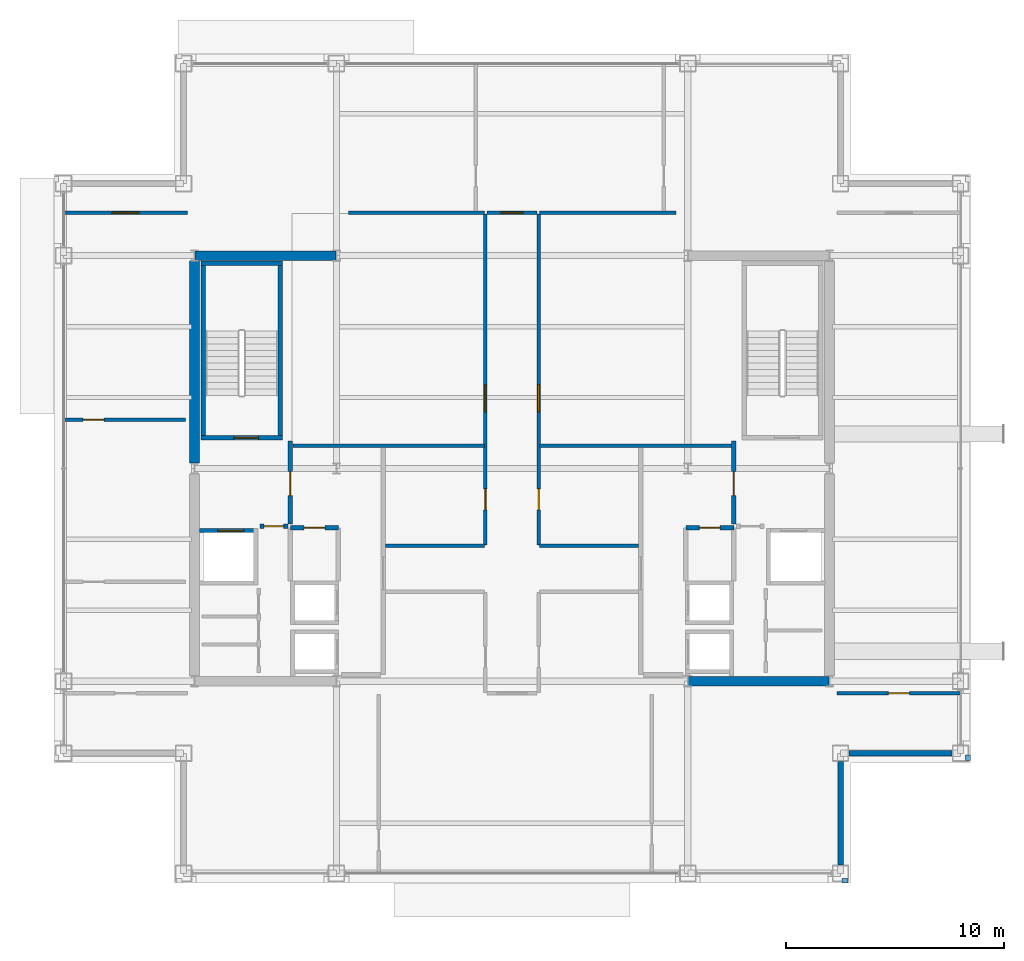
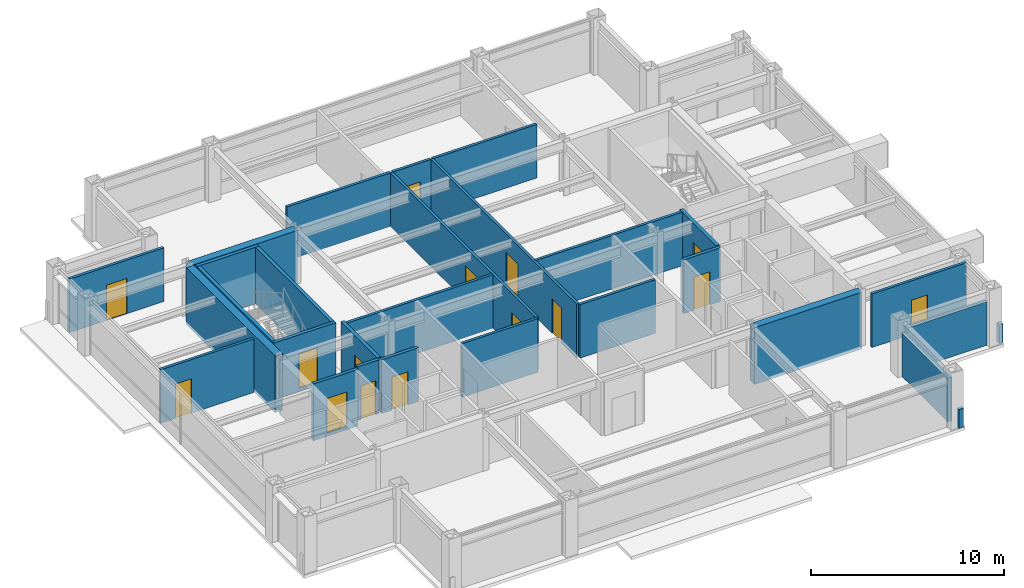
# One storey, part 24 of 26: 29 walls, 15 doors, 15 openings.
"""IFC4 building model written with IfcOpenShell, lengths in metres."""

from ifc_helpers import new_model, si_unit, direction, frame, frame_2d, origin, place, context, subcontext, project, spatial, rectangle, extrude, material, layer, layer_set, type_object, element, fill, save


model = new_model("IFC4")

# Units and contexts
model_context = context("Model", 3, precision=1e-05, world=origin(), true_north=direction((0.0, 1.0)))
body_context = subcontext(model_context, "Body", "Model", "MODEL_VIEW")
ifc_project = project(units=[si_unit("LENGTHUNIT", "METRE"), si_unit("AREAUNIT", "SQUARE_METRE"), si_unit("VOLUMEUNIT", "CUBIC_METRE"), si_unit("PLANEANGLEUNIT", "RADIAN"), si_unit("MASSUNIT", "GRAM", prefix="KILO")], contexts=[model_context])

# Site, building, storey
site_placement = place(None, origin())
site = spatial("IfcSite", under=ifc_project, at=site_placement, CompositionType="ELEMENT")
building_placement = place(site_placement, origin())
building = spatial("IfcBuilding", under=site, at=building_placement, Name="Brelmoor Portico Tower", CompositionType="ELEMENT")
storey_placement = place(building_placement, frame((0.0, 0.0, 180.300048828125)))
storey = spatial("IfcBuildingStorey", under=building, at=storey_placement, Name="L47", CompositionType="ELEMENT", Elevation=180.300048828125)

# Walls
ifc_material_1 = material(Name="Concrete C50", Category="concrete")
ifc_layer_1 = layer(ifc_material_1, 0.449951171875)
ifc_layer_set_1 = layer_set([ifc_layer_1], Name="Concrete C50")
wall_type_1 = type_object("IfcWallType", Name="WL-CORE-450", PredefinedType="SHEAR", material=ifc_layer_set_1)
wall_1_placement = place(storey_placement, frame((-14.530029296875, 9.75, -0.199951171875), z_axis=(0.0, 0.0, 1.0), x_axis=(1.0, 0.0, 0.0)))
element("IfcWall", 1, at=wall_1_placement, inside=storey, type_object=wall_type_1, Name="L47 WC North Shear Wall", PredefinedType="SHEAR", context=body_context, shape_type="SweptSolid", body=[
    extrude(rectangle(XDim=6.4599609375, YDim=0.449951171875, at=frame_2d((3.22998046875, 0.0))), origin(), (0.0, 0.0, 1.0), 3.599853515625),
])
wall_2_placement = place(storey_placement, frame((-14.550048828125, 0.25, -0.199951171875), z_axis=(0.0, 0.0, 1.0), x_axis=(0.0, 1.0, 0.0)))
element("IfcWall", 2, at=wall_2_placement, inside=storey, type_object=wall_type_1, Name="L47 WC Outer North Shear Wall", PredefinedType="SHEAR", context=body_context, shape_type="SweptSolid", body=[
    extrude(rectangle(XDim=9.25, YDim=0.449951171875, at=frame_2d((4.625, 0.0))), origin(), (0.0, 0.0, 1.0), 3.599853515625),
])
wall_3_placement = place(storey_placement, frame((8.070068359375, -9.75, -0.199951171875), z_axis=(0.0, 0.0, 1.0), x_axis=(1.0, 0.0, 0.0)))
element("IfcWall", 3, at=wall_3_placement, inside=storey, type_object=wall_type_1, Name="L47 EC South Shear Wall", PredefinedType="SHEAR", context=body_context, shape_type="SweptSolid", body=[
    extrude(rectangle(XDim=6.4599609375, YDim=0.449951171875, at=frame_2d((3.22998046875, 0.0))), origin(), (0.0, 0.0, 1.0), 3.599853515625),
])
ifc_material_2 = material(Name="Precast Concrete C40 Insulated Facade Wall", Category="concrete")
ifc_layer_2 = layer(ifc_material_2, 0.25)
ifc_layer_set_2 = layer_set([ifc_layer_2], Name="Precast Concrete C40 Insulated Facade Wall")
wall_type_2 = type_object("IfcWallType", Name="WL-EXT-250", PredefinedType="STANDARD", material=ifc_layer_set_2)
for number, where, z_axis, x_axis, name in (
    (4, (15.43505859375, -13.050048828125, 0.0), (0.0, 0.0, 1.0), (1.0, 0.0, 0.0), "L47 Corner Notch Facade Wall NSEH1"),
    (5, (15.050048828125, -18.1650390625, 0.0), (0.0, 0.0, 1.0), (0.0, 1.0, 0.0), "L47 Corner Notch Facade Wall NSEV1"),
):
    element("IfcWall", number, at=place(storey_placement, frame(where, z_axis=z_axis, x_axis=x_axis)), inside=storey, type_object=wall_type_2, Name=name, PredefinedType="STANDARD", context=body_context, shape_type="SweptSolid", body=[
        extrude(rectangle(XDim=4.72998046875, YDim=0.25, at=frame_2d((2.364990234375, 0.0))), origin(), (0.0, 0.0, 1.0), 2.75),
    ])
ifc_material_3 = material(Name="Concrete C40 Parapet Upstand", Category="concrete")
ifc_layer_3 = layer(ifc_material_3, 0.219970703125)
ifc_layer_set_3 = layer_set([ifc_layer_3], Name="Concrete C40 Parapet Upstand")
wall_type_3 = type_object("IfcWallType", Name="WL-PARAPET-220", PredefinedType="PARAPET", material=ifc_layer_set_3)
for number, where, z_axis, x_axis, name in (
    (6, (15.1201171875, -18.889892578125, 0.0), (0.0, 0.0, 1.0), (1.0, 0.0, 0.0), "L47 Chamfer Vertex Parapet Pier SE1"),
    (7, (20.889892578125, -13.389892578125, 0.0), (0.0, 0.0, 1.0), (0.0, 1.0, 0.0), "L47 Chamfer Vertex Parapet Pier SE2"),
):
    element("IfcWall", number, at=place(storey_placement, frame(where, z_axis=z_axis, x_axis=x_axis)), inside=storey, type_object=wall_type_3, Name=name, PredefinedType="PARAPET", context=body_context, shape_type="SweptSolid", body=[
        extrude(rectangle(XDim=0.269775390625, YDim=0.219970703125, at=frame_2d((0.134765625, 0.0))), origin(), (0.0, 0.0, 1.0), 1.199951171875),
    ])
ifc_material_4 = material(Name="Twin-Frame Acoustic Partition", Category="gypsum")
ifc_layer_4 = layer(ifc_material_4, 0.159912109375)
ifc_layer_set_4 = layer_set([ifc_layer_4], Name="Twin-Frame Acoustic Partition")
wall_type_4 = type_object("IfcWallType", Name="WL-PART-160", PredefinedType="PARTITIONING", material=ifc_layer_set_4)
wall_4_placement = place(storey_placement, frame((-10.050048828125, 1.050048828125, 0.0), z_axis=(0.0, 0.0, 1.0), x_axis=(1.0, 0.0, 0.0)))
element("IfcWall", 8, at=wall_4_placement, inside=storey, type_object=wall_type_4, Name="L47 West Reclaimed Suite South Wall", PredefinedType="PARTITIONING", context=body_context, shape_type="SweptSolid", body=[
    extrude(rectangle(XDim=8.7900390625, YDim=0.159912109375, at=frame_2d((4.39501953125, 0.0))), origin(), (0.0, 0.0, 1.0), 3.39990234375),
])

# Wall, openings, doors
wall_5_placement = place(storey_placement, frame((-1.219970703125, -3.5, 0.0), z_axis=(0.0, 0.0, 1.0), x_axis=(0.0, 1.0, 0.0)))
wall_5 = element("IfcWall", 9, at=wall_5_placement, inside=storey, type_object=wall_type_4, Name="L47 Central Cross West Wall", PredefinedType="PARTITIONING", context=body_context, shape_type="SweptSolid", body=[
    extrude(rectangle(XDim=15.169921875, YDim=0.159912109375, at=frame_2d((7.5849609375, 0.0))), origin(), (0.0, 0.0, 1.0), 3.39990234375),
])
opening_1_placement = place(wall_5_placement, frame((6.10009765625, 0.0, 0.0)))
opening_1 = element("IfcOpeningElement", 10, at=opening_1_placement, cuts=wall_5, Name="Opening D-SU1", PredefinedType="OPENING", context=body_context, shape_type="SweptSolid", body=[
    extrude(rectangle(XDim=1.239990234375, YDim=2.239990234375, at=frame_2d((0.6201171875, 1.1201171875))), frame((0.0, 0.08984375, 0.0), z_axis=(0.0, -1.0, 0.0), x_axis=(1.0, 0.0, 0.0)), (0.0, 0.0, 1.0), 0.179931640625),
])
opening_2_placement = place(wall_5_placement, frame((1.60009765625, 0.0, 0.0)))
opening_2 = element("IfcOpeningElement", 11, at=opening_2_placement, cuts=wall_5, Name="Opening D-IN2", PredefinedType="OPENING", context=body_context, shape_type="SweptSolid", body=[
    extrude(rectangle(XDim=0.9599609375, YDim=2.179931640625, at=frame_2d((0.47998046875, 1.08984375))), frame((0.0, 0.08984375, 0.0), z_axis=(0.0, -1.0, 0.0), x_axis=(1.0, 0.0, 0.0)), (0.0, 0.0, 1.0), 0.179931640625),
])
ifc_material_5 = material(Name="Lacquered Timber Suite Door", Category="wood")
door_type_1 = type_object("IfcDoorType", Name="DR-INT-950", OperationType="NOTDEFINED", PredefinedType="DOOR", material=ifc_material_5)
door_1_placement = place(opening_2_placement, origin())
door_1 = element("IfcDoor", 12, at=door_1_placement, inside=storey, type_object=door_type_1, Name="D-1989 L47 Staff Pantry Door", OperationType="SINGLE_SWING_RIGHT", OverallHeight=2.179931640625, OverallWidth=0.9599609375, PredefinedType="DOOR", context=body_context, shape_type="SweptSolid", body=[
    extrude(rectangle(XDim=0.9599609375, YDim=2.179931640625, at=frame_2d((0.47998046875, 1.08984375))), frame((0.0, 0.02490234375, 0.0), z_axis=(0.0, -1.0, 0.0), x_axis=(1.0, 0.0, 0.0)), (0.0, 0.0, 1.0), 0.050048828125),
])
fill(opening_2, door_1)
ifc_material_6 = material(Name="Glazed Timber Executive Suite Door", Category="wood")
door_type_2 = type_object("IfcDoorType", Name="DR-SUITE-1200", OperationType="NOTDEFINED", PredefinedType="DOOR", material=ifc_material_6)
door_2_placement = place(opening_1_placement, origin())
door_2 = element("IfcDoor", 13, at=door_2_placement, inside=storey, type_object=door_type_2, Name="D-1990 L47 West Reclaimed Studio Door", OperationType="SINGLE_SWING_LEFT", OverallHeight=2.239990234375, OverallWidth=1.239990234375, PredefinedType="DOOR", context=body_context, shape_type="SweptSolid", body=[
    extrude(rectangle(XDim=1.239990234375, YDim=2.239990234375, at=frame_2d((0.6201171875, 1.1201171875))), frame((0.0, 0.02490234375, 0.0), z_axis=(0.0, -1.0, 0.0), x_axis=(1.0, 0.0, 0.0)), (0.0, 0.0, 1.0), 0.050048828125),
])
fill(opening_1, door_2)

# Walls
wall_6_placement = place(storey_placement, frame((-7.5, 11.7099609375, 0.0), z_axis=(0.0, 0.0, 1.0), x_axis=(1.0, 0.0, 0.0)))
element("IfcWall", 14, at=wall_6_placement, inside=storey, type_object=wall_type_4, Name="L47 West Reclaimed Suite North Wall", PredefinedType="PARTITIONING", context=body_context, shape_type="SweptSolid", body=[
    extrude(rectangle(XDim=6.239990234375, YDim=0.159912109375, at=frame_2d((3.1201171875, 0.0))), origin(), (0.0, 0.0, 1.0), 3.39990234375),
])
wall_7_placement = place(storey_placement, frame((-5.800048828125, -3.550048828125, 0.0), z_axis=(0.0, 0.0, 1.0), x_axis=(1.0, 0.0, 0.0)))
element("IfcWall", 15, at=wall_7_placement, inside=storey, type_object=wall_type_4, Name="L47 West Pantry South Wall", PredefinedType="PARTITIONING", context=body_context, shape_type="SweptSolid", body=[
    extrude(rectangle(XDim=4.5400390625, YDim=0.159912109375, at=frame_2d((2.27001953125, 0.0))), origin(), (0.0, 0.0, 1.0), 3.39990234375),
])
wall_8_placement = place(storey_placement, frame((1.260009765625, 1.050048828125, 0.0), z_axis=(0.0, 0.0, 1.0), x_axis=(1.0, 0.0, 0.0)))
element("IfcWall", 16, at=wall_8_placement, inside=storey, type_object=wall_type_4, Name="L47 East Suite South Wall", PredefinedType="PARTITIONING", context=body_context, shape_type="SweptSolid", body=[
    extrude(rectangle(XDim=8.800048828125, YDim=0.159912109375, at=frame_2d((4.39990234375, 0.0))), origin(), (0.0, 0.0, 1.0), 3.39990234375),
])

# Wall, openings, doors
wall_9_placement = place(storey_placement, frame((1.219970703125, -3.5, 0.0), z_axis=(0.0, 0.0, 1.0), x_axis=(0.0, 1.0, 0.0)))
wall_9 = element("IfcWall", 17, at=wall_9_placement, inside=storey, type_object=wall_type_4, Name="L47 Central Cross East Wall", PredefinedType="PARTITIONING", context=body_context, shape_type="SweptSolid", body=[
    extrude(rectangle(XDim=15.169921875, YDim=0.159912109375, at=frame_2d((7.5849609375, 0.0))), origin(), (0.0, 0.0, 1.0), 3.39990234375),
])
opening_3_placement = place(wall_9_placement, frame((6.10009765625, 0.0, 0.0)))
opening_3 = element("IfcOpeningElement", 18, at=opening_3_placement, cuts=wall_9, Name="Opening D-SU1", PredefinedType="OPENING", context=body_context, shape_type="SweptSolid", body=[
    extrude(rectangle(XDim=1.239990234375, YDim=2.239990234375, at=frame_2d((0.6201171875, 1.1201171875))), frame((0.0, 0.08984375, 0.0), z_axis=(0.0, -1.0, 0.0), x_axis=(1.0, 0.0, 0.0)), (0.0, 0.0, 1.0), 0.179931640625),
])
opening_4_placement = place(wall_9_placement, frame((1.60009765625, 0.0, 0.0)))
opening_4 = element("IfcOpeningElement", 19, at=opening_4_placement, cuts=wall_9, Name="Opening D-IN2", PredefinedType="OPENING", context=body_context, shape_type="SweptSolid", body=[
    extrude(rectangle(XDim=0.9599609375, YDim=2.179931640625, at=frame_2d((0.47998046875, 1.08984375))), frame((0.0, 0.08984375, 0.0), z_axis=(0.0, -1.0, 0.0), x_axis=(1.0, 0.0, 0.0)), (0.0, 0.0, 1.0), 0.179931640625),
])
door_3_placement = place(opening_4_placement, origin())
door_3 = element("IfcDoor", 20, at=door_3_placement, inside=storey, type_object=door_type_1, Name="D-1985 L47 Client Project Office Door", OperationType="SINGLE_SWING_RIGHT", OverallHeight=2.179931640625, OverallWidth=0.9599609375, PredefinedType="DOOR", context=body_context, shape_type="SweptSolid", body=[
    extrude(rectangle(XDim=0.9599609375, YDim=2.179931640625, at=frame_2d((0.47998046875, 1.08984375))), frame((0.0, 0.02490234375, 0.0), z_axis=(0.0, -1.0, 0.0), x_axis=(1.0, 0.0, 0.0)), (0.0, 0.0, 1.0), 0.050048828125),
])
fill(opening_4, door_3)
door_4_placement = place(opening_3_placement, origin())
door_4 = element("IfcDoor", 21, at=door_4_placement, inside=storey, type_object=door_type_2, Name="D-1986 L47 East Reclaimed Studio Door", OperationType="SINGLE_SWING_LEFT", OverallHeight=2.239990234375, OverallWidth=1.239990234375, PredefinedType="DOOR", context=body_context, shape_type="SweptSolid", body=[
    extrude(rectangle(XDim=1.239990234375, YDim=2.239990234375, at=frame_2d((0.6201171875, 1.1201171875))), frame((0.0, 0.02490234375, 0.0), z_axis=(0.0, -1.0, 0.0), x_axis=(1.0, 0.0, 0.0)), (0.0, 0.0, 1.0), 0.050048828125),
])
fill(opening_3, door_4)

# Walls
wall_10_placement = place(storey_placement, frame((1.260009765625, 11.7099609375, 0.0), z_axis=(0.0, 0.0, 1.0), x_axis=(1.0, 0.0, 0.0)))
element("IfcWall", 22, at=wall_10_placement, inside=storey, type_object=wall_type_4, Name="L47 East Suite North Wall", PredefinedType="PARTITIONING", context=body_context, shape_type="SweptSolid", body=[
    extrude(rectangle(XDim=6.239990234375, YDim=0.159912109375, at=frame_2d((3.1201171875, 0.0))), origin(), (0.0, 0.0, 1.0), 3.39990234375),
])
wall_11_placement = place(storey_placement, frame((1.260009765625, -3.550048828125, 0.0), z_axis=(0.0, 0.0, 1.0), x_axis=(1.0, 0.0, 0.0)))
element("IfcWall", 23, at=wall_11_placement, inside=storey, type_object=wall_type_4, Name="L47 East Office South Wall", PredefinedType="PARTITIONING", context=body_context, shape_type="SweptSolid", body=[
    extrude(rectangle(XDim=4.5400390625, YDim=0.159912109375, at=frame_2d((2.27001953125, 0.0))), origin(), (0.0, 0.0, 1.0), 3.39990234375),
])

# Wall, opening, door
wall_12_placement = place(storey_placement, frame((-1.14990234375, 11.7099609375, 0.0), z_axis=(0.0, 0.0, 1.0), x_axis=(1.0, 0.0, 0.0)))
wall_12 = element("IfcWall", 24, at=wall_12_placement, inside=storey, type_object=wall_type_4, Name="L47 North Corridor Partition", PredefinedType="PARTITIONING", context=body_context, shape_type="SweptSolid", body=[
    extrude(rectangle(XDim=2.2998046875, YDim=0.159912109375, at=frame_2d((1.14990234375, 0.0))), origin(), (0.0, 0.0, 1.0), 3.39990234375),
])
opening_5_placement = place(wall_12_placement, frame((0.639892578125, 0.0, 0.0)))
opening_5 = element("IfcOpeningElement", 25, at=opening_5_placement, cuts=wall_12, Name="Opening D-OF1", PredefinedType="OPENING", context=body_context, shape_type="SweptSolid", body=[
    extrude(rectangle(XDim=1.02001953125, YDim=2.199951171875, at=frame_2d((0.510009765625, 1.10009765625))), frame((0.0, 0.08984375, 0.0), z_axis=(0.0, -1.0, 0.0), x_axis=(1.0, 0.0, 0.0)), (0.0, 0.0, 1.0), 0.179931640625),
])
ifc_material_7 = material(Name="Hardwood Acoustic Veneer Door", Category="wood")
door_type_3 = type_object("IfcDoorType", Name="DR-OFFICE-1000", OperationType="NOTDEFINED", PredefinedType="DOOR", material=ifc_material_7)
door_5_placement = place(opening_5_placement, origin())
door_5 = element("IfcDoor", 26, at=door_5_placement, inside=storey, type_object=door_type_3, Name="D-2004 L47 North First-Aid Consultation 2 Door", OperationType="SINGLE_SWING_LEFT", OverallHeight=2.199951171875, OverallWidth=1.02001953125, PredefinedType="DOOR", context=body_context, shape_type="SweptSolid", body=[
    extrude(rectangle(XDim=1.02001953125, YDim=2.199951171875, at=frame_2d((0.510009765625, 1.10009765625))), frame((0.0, 0.02490234375, 0.0), z_axis=(0.0, -1.0, 0.0), x_axis=(1.0, 0.0, 0.0)), (0.0, 0.0, 1.0), 0.050048828125),
])
fill(opening_5, door_5)

wall_13_placement = place(storey_placement, frame((-20.56005859375, 11.7099609375, 0.0), z_axis=(0.0, 0.0, 1.0), x_axis=(1.0, 0.0, 0.0)))
wall_13 = element("IfcWall", 27, at=wall_13_placement, inside=storey, type_object=wall_type_4, Name="L47 North Wing Suite Wall WL", PredefinedType="PARTITIONING", context=body_context, shape_type="SweptSolid", body=[
    extrude(rectangle(XDim=5.68017578125, YDim=0.159912109375, at=frame_2d((2.840087890625, 0.0))), origin(), (0.0, 0.0, 1.0), 3.39990234375),
])
opening_6_placement = place(wall_13_placement, frame((2.219970703125, 0.0, 0.0)))
opening_6 = element("IfcOpeningElement", 28, at=opening_6_placement, cuts=wall_13, Name="Opening D-SU1", PredefinedType="OPENING", context=body_context, shape_type="SweptSolid", body=[
    extrude(rectangle(XDim=1.239990234375, YDim=2.239990234375, at=frame_2d((0.6201171875, 1.1201171875))), frame((0.0, 0.08984375, 0.0), z_axis=(0.0, -1.0, 0.0), x_axis=(1.0, 0.0, 0.0)), (0.0, 0.0, 1.0), 0.179931640625),
])
door_6_placement = place(opening_6_placement, origin())
door_6 = element("IfcDoor", 29, at=door_6_placement, inside=storey, type_object=door_type_2, Name="D-2008 L47 WL Wing Suite Connecting Door", OperationType="SINGLE_SWING_RIGHT", OverallHeight=2.239990234375, OverallWidth=1.239990234375, PredefinedType="DOOR", context=body_context, shape_type="SweptSolid", body=[
    extrude(rectangle(XDim=1.239990234375, YDim=2.239990234375, at=frame_2d((0.6201171875, 1.1201171875))), frame((0.0, 0.02490234375, 0.0), z_axis=(0.0, -1.0, 0.0), x_axis=(1.0, 0.0, 0.0)), (0.0, 0.0, 1.0), 0.050048828125),
])
fill(opening_6, door_6)

wall_14_placement = place(storey_placement, frame((14.8798828125, -10.300048828125, 0.0), z_axis=(0.0, 0.0, 1.0), x_axis=(1.0, 0.0, 0.0)))
wall_14 = element("IfcWall", 30, at=wall_14_placement, inside=storey, type_object=wall_type_4, Name="L47 South Wing Closure ER", PredefinedType="PARTITIONING", context=body_context, shape_type="SweptSolid", body=[
    extrude(rectangle(XDim=5.68017578125, YDim=0.159912109375, at=frame_2d((2.840087890625, 0.0))), origin(), (0.0, 0.0, 1.0), 3.39990234375),
])
opening_7_placement = place(wall_14_placement, frame((2.360107421875, 0.0, 0.0)))
opening_7 = element("IfcOpeningElement", 31, at=opening_7_placement, cuts=wall_14, Name="Opening D-IN2", PredefinedType="OPENING", context=body_context, shape_type="SweptSolid", body=[
    extrude(rectangle(XDim=0.9599609375, YDim=2.179931640625, at=frame_2d((0.47998046875, 1.08984375))), frame((0.0, 0.08984375, 0.0), z_axis=(0.0, -1.0, 0.0), x_axis=(1.0, 0.0, 0.0)), (0.0, 0.0, 1.0), 0.179931640625),
])
door_7_placement = place(opening_7_placement, origin())
door_7 = element("IfcDoor", 32, at=door_7_placement, inside=storey, type_object=door_type_1, Name="D-2014 L47 ER Wing South Suite Door", OperationType="SINGLE_SWING_LEFT", OverallHeight=2.179931640625, OverallWidth=0.9599609375, PredefinedType="DOOR", context=body_context, shape_type="SweptSolid", body=[
    extrude(rectangle(XDim=0.9599609375, YDim=2.179931640625, at=frame_2d((0.47998046875, 1.08984375))), frame((0.0, 0.02490234375, 0.0), z_axis=(0.0, -1.0, 0.0), x_axis=(1.0, 0.0, 0.0)), (0.0, 0.0, 1.0), 0.050048828125),
])
fill(opening_7, door_7)

wall_15_placement = place(storey_placement, frame((-20.56005859375, 2.234619140625, 0.0), z_axis=(0.0, 0.0, 1.0), x_axis=(1.0, 0.0, 0.0)))
wall_15 = element("IfcWall", 33, at=wall_15_placement, inside=storey, type_object=wall_type_4, Name="L47 W Wing Partition 2", PredefinedType="PARTITIONING", context=body_context, shape_type="SweptSolid", body=[
    extrude(rectangle(XDim=5.60009765625, YDim=0.159912109375, at=frame_2d((2.800048828125, 0.0))), origin(), (0.0, 0.0, 1.0), 3.39990234375),
])
opening_8_placement = place(wall_15_placement, frame((0.89990234375, 0.0, 0.0)))
opening_8 = element("IfcOpeningElement", 34, at=opening_8_placement, cuts=wall_15, Name="Opening D-IN2", PredefinedType="OPENING", context=body_context, shape_type="SweptSolid", body=[
    extrude(rectangle(XDim=0.9599609375, YDim=2.179931640625, at=frame_2d((0.47998046875, 1.08984375))), frame((0.0, 0.08984375, 0.0), z_axis=(0.0, -1.0, 0.0), x_axis=(1.0, 0.0, 0.0)), (0.0, 0.0, 1.0), 0.179931640625),
])
door_8_placement = place(opening_8_placement, origin())
door_8 = element("IfcDoor", 35, at=door_8_placement, inside=storey, type_object=door_type_1, Name="D-2017 L47 W Wing Suite Connecting Door 2", OperationType="SINGLE_SWING_LEFT", OverallHeight=2.179931640625, OverallWidth=0.9599609375, PredefinedType="DOOR", context=body_context, shape_type="SweptSolid", body=[
    extrude(rectangle(XDim=0.9599609375, YDim=2.179931640625, at=frame_2d((0.47998046875, 1.08984375))), frame((0.0, 0.02490234375, 0.0), z_axis=(0.0, -1.0, 0.0), x_axis=(1.0, 0.0, 0.0)), (0.0, 0.0, 1.0), 0.050048828125),
])
fill(opening_8, door_8)

ifc_material_8 = material(Name="Double-Stud Gypsum Fire Partition", Category="gypsum")
ifc_layer_5 = layer(ifc_material_8, 0.199951171875)
ifc_layer_set_5 = layer_set([ifc_layer_5], Name="Double-Stud Gypsum Fire Partition")
wall_type_5 = type_object("IfcWallType", Name="WL-PART-200", PredefinedType="PARTITIONING", material=ifc_layer_set_5)
wall_16_placement = place(storey_placement, frame((-10.159912109375, -2.550048828125, 0.0), z_axis=(0.0, 0.0, 1.0), x_axis=(0.0, 1.0, 0.0)))
wall_16 = element("IfcWall", 36, at=wall_16_placement, inside=storey, type_object=wall_type_5, Name="L47 W Firefighting Lobby Wall", PredefinedType="PARTITIONING", context=body_context, shape_type="SweptSolid", body=[
    extrude(rectangle(XDim=3.800048828125, YDim=0.199951171875, at=frame_2d((1.89990234375, 0.0))), origin(), (0.0, 0.0, 1.0), 3.39990234375),
])
opening_9_placement = place(wall_16_placement, frame((1.300048828125, 0.0, 0.0)))
opening_9 = element("IfcOpeningElement", 37, at=opening_9_placement, cuts=wall_16, Name="Opening D-FR1", PredefinedType="OPENING", context=body_context, shape_type="SweptSolid", body=[
    extrude(rectangle(XDim=1.10009765625, YDim=2.14990234375, at=frame_2d((0.550048828125, 1.074951171875))), frame((0.0, 0.10986328125, 0.0), z_axis=(0.0, -1.0, 0.0), x_axis=(1.0, 0.0, 0.0)), (0.0, 0.0, 1.0), 0.219970703125),
])
ifc_material_9 = material(Name="Painted Galvanised Steel Fire Door", Category="steel")
door_type_4 = type_object("IfcDoorType", Name="DR-FIRE-1100", OperationType="NOTDEFINED", PredefinedType="DOOR", material=ifc_material_9)
door_9_placement = place(opening_9_placement, origin())
door_9 = element("IfcDoor", 38, at=door_9_placement, inside=storey, type_object=door_type_4, Name="D-2001 L47 W Firefighting Lobby Door", OperationType="SINGLE_SWING_RIGHT", OverallHeight=2.14990234375, OverallWidth=1.10009765625, PredefinedType="DOOR", context=body_context, shape_type="SweptSolid", body=[
    extrude(rectangle(XDim=1.10009765625, YDim=2.14990234375, at=frame_2d((0.550048828125, 1.074951171875))), frame((0.0, 0.02490234375, 0.0), z_axis=(0.0, -1.0, 0.0), x_axis=(1.0, 0.0, 0.0)), (0.0, 0.0, 1.0), 0.050048828125),
])
fill(opening_9, door_9)

wall_17_placement = place(storey_placement, frame((-10.280029296875, -2.64990234375, 0.0), z_axis=(0.0, 0.0, 1.0), x_axis=(-1.0, 0.0, 0.0)))
wall_17 = element("IfcWall", 39, at=wall_17_placement, inside=storey, type_object=wall_type_5, Name="L47 W Firefighting Lobby South Wall", PredefinedType="PARTITIONING", context=body_context, shape_type="SweptSolid", body=[
    extrude(rectangle(XDim=1.27001953125, YDim=0.199951171875, at=frame_2d((0.635009765625, 0.0))), origin(), (0.0, 0.0, 1.0), 3.39990234375),
])
opening_10_placement = place(wall_17_placement, frame((0.18505859375, 0.0, 0.0)))
opening_10 = element("IfcOpeningElement", 40, at=opening_10_placement, cuts=wall_17, Name="Opening D-IN1", PredefinedType="OPENING", context=body_context, shape_type="SweptSolid", body=[
    extrude(rectangle(XDim=0.89990234375, YDim=2.14990234375, at=frame_2d((0.449951171875, 1.074951171875))), frame((0.0, 0.10986328125, 0.0), z_axis=(0.0, -1.0, 0.0), x_axis=(1.0, 0.0, 0.0)), (0.0, 0.0, 1.0), 0.219970703125),
])
door_type_5 = type_object("IfcDoorType", Name="DR-INT-900", OperationType="NOTDEFINED", PredefinedType="DOOR", material=ifc_material_5)
door_10_placement = place(opening_10_placement, origin())
door_10 = element("IfcDoor", 41, at=door_10_placement, inside=storey, type_object=door_type_5, Name="D-1994 L47 W Core Service Vestibule Door", OperationType="SINGLE_SWING_LEFT", OverallHeight=2.14990234375, OverallWidth=0.89990234375, PredefinedType="DOOR", context=body_context, shape_type="SweptSolid", body=[
    extrude(rectangle(XDim=0.89990234375, YDim=2.14990234375, at=frame_2d((0.449951171875, 1.074951171875))), frame((0.0, 0.02490234375, 0.0), z_axis=(0.0, -1.0, 0.0), x_axis=(1.0, 0.0, 0.0)), (0.0, 0.0, 1.0), 0.050048828125),
])
fill(opening_10, door_10)

wall_18_placement = place(storey_placement, frame((-7.9599609375, -2.719970703125, 0.0), z_axis=(0.0, 0.0, 1.0), x_axis=(-1.0, 0.0, 0.0)))
wall_18 = element("IfcWall", 42, at=wall_18_placement, inside=storey, type_object=wall_type_5, Name="L47 W Electrical Switchgear Closet Wall", PredefinedType="PARTITIONING", context=body_context, shape_type="SweptSolid", body=[
    extrude(rectangle(XDim=2.199951171875, YDim=0.199951171875, at=frame_2d((1.10009765625, 0.0))), origin(), (0.0, 0.0, 1.0), 3.39990234375),
])
opening_11_placement = place(wall_18_placement, frame((0.6201171875, 0.0, 0.0)))
opening_11 = element("IfcOpeningElement", 43, at=opening_11_placement, cuts=wall_18, Name="Opening D-FR4", PredefinedType="OPENING", context=body_context, shape_type="SweptSolid", body=[
    extrude(rectangle(XDim=0.949951171875, YDim=2.10009765625, at=frame_2d((0.47509765625, 1.050048828125))), frame((0.0, 0.10986328125, 0.0), z_axis=(0.0, -1.0, 0.0), x_axis=(1.0, 0.0, 0.0)), (0.0, 0.0, 1.0), 0.219970703125),
])
ifc_material_10 = material(Name="Painted Galvanised Steel Riser Door", Category="steel")
door_type_6 = type_object("IfcDoorType", Name="DR-FIRE-950", OperationType="NOTDEFINED", PredefinedType="DOOR", material=ifc_material_10)
door_11_placement = place(opening_11_placement, origin())
door_11 = element("IfcDoor", 44, at=door_11_placement, inside=storey, type_object=door_type_6, Name="D-1999 L47 W Electrical Switchgear Closet Door", OperationType="SINGLE_SWING_RIGHT", OverallHeight=2.10009765625, OverallWidth=0.949951171875, PredefinedType="DOOR", context=body_context, shape_type="SweptSolid", body=[
    extrude(rectangle(XDim=0.949951171875, YDim=2.10009765625, at=frame_2d((0.47509765625, 1.050048828125))), frame((0.0, 0.02490234375, 0.0), z_axis=(0.0, -1.0, 0.0), x_axis=(1.0, 0.0, 0.0)), (0.0, 0.0, 1.0), 0.050048828125),
])
fill(opening_11, door_11)

wall_19_placement = place(storey_placement, frame((10.159912109375, -2.550048828125, 0.0), z_axis=(0.0, 0.0, 1.0), x_axis=(0.0, 1.0, 0.0)))
wall_19 = element("IfcWall", 45, at=wall_19_placement, inside=storey, type_object=wall_type_5, Name="L47 E Firefighting Lobby Wall", PredefinedType="PARTITIONING", context=body_context, shape_type="SweptSolid", body=[
    extrude(rectangle(XDim=3.800048828125, YDim=0.199951171875, at=frame_2d((1.89990234375, 0.0))), origin(), (0.0, 0.0, 1.0), 3.39990234375),
])
opening_12_placement = place(wall_19_placement, frame((1.300048828125, 0.0, 0.0)))
opening_12 = element("IfcOpeningElement", 46, at=opening_12_placement, cuts=wall_19, Name="Opening D-FR1", PredefinedType="OPENING", context=body_context, shape_type="SweptSolid", body=[
    extrude(rectangle(XDim=1.10009765625, YDim=2.14990234375, at=frame_2d((0.550048828125, 1.074951171875))), frame((0.0, 0.10986328125, 0.0), z_axis=(0.0, -1.0, 0.0), x_axis=(1.0, 0.0, 0.0)), (0.0, 0.0, 1.0), 0.219970703125),
])
door_12_placement = place(opening_12_placement, origin())
door_12 = element("IfcDoor", 47, at=door_12_placement, inside=storey, type_object=door_type_4, Name="D-2000 L47 E Firefighting Lobby Door", OperationType="SINGLE_SWING_RIGHT", OverallHeight=2.14990234375, OverallWidth=1.10009765625, PredefinedType="DOOR", context=body_context, shape_type="SweptSolid", body=[
    extrude(rectangle(XDim=1.10009765625, YDim=2.14990234375, at=frame_2d((0.550048828125, 1.074951171875))), frame((0.0, 0.02490234375, 0.0), z_axis=(0.0, -1.0, 0.0), x_axis=(1.0, 0.0, 0.0)), (0.0, 0.0, 1.0), 0.050048828125),
])
fill(opening_12, door_12)

wall_20_placement = place(storey_placement, frame((7.9599609375, -2.719970703125, 0.0), z_axis=(0.0, 0.0, 1.0), x_axis=(1.0, 0.0, 0.0)))
wall_20 = element("IfcWall", 48, at=wall_20_placement, inside=storey, type_object=wall_type_5, Name="L47 E Electrical Switchgear Closet Wall", PredefinedType="PARTITIONING", context=body_context, shape_type="SweptSolid", body=[
    extrude(rectangle(XDim=2.199951171875, YDim=0.199951171875, at=frame_2d((1.10009765625, 0.0))), origin(), (0.0, 0.0, 1.0), 3.39990234375),
])
opening_13_placement = place(wall_20_placement, frame((0.6201171875, 0.0, 0.0)))
opening_13 = element("IfcOpeningElement", 49, at=opening_13_placement, cuts=wall_20, Name="Opening D-FR4", PredefinedType="OPENING", context=body_context, shape_type="SweptSolid", body=[
    extrude(rectangle(XDim=0.949951171875, YDim=2.10009765625, at=frame_2d((0.47509765625, 1.050048828125))), frame((0.0, 0.10986328125, 0.0), z_axis=(0.0, -1.0, 0.0), x_axis=(1.0, 0.0, 0.0)), (0.0, 0.0, 1.0), 0.219970703125),
])
door_13_placement = place(opening_13_placement, origin())
door_13 = element("IfcDoor", 50, at=door_13_placement, inside=storey, type_object=door_type_6, Name="D-1998 L47 E Electrical Switchgear Closet Door", OperationType="SINGLE_SWING_RIGHT", OverallHeight=2.10009765625, OverallWidth=0.949951171875, PredefinedType="DOOR", context=body_context, shape_type="SweptSolid", body=[
    extrude(rectangle(XDim=0.949951171875, YDim=2.10009765625, at=frame_2d((0.47509765625, 1.050048828125))), frame((0.0, 0.02490234375, 0.0), z_axis=(0.0, -1.0, 0.0), x_axis=(1.0, 0.0, 0.0)), (0.0, 0.0, 1.0), 0.050048828125),
])
fill(opening_13, door_13)

ifc_material_11 = material(Name="Precast Concrete C40", Category="concrete")
ifc_layer_6 = layer(ifc_material_11, 0.18994140625)
ifc_layer_set_6 = layer_set([ifc_layer_6], Name="Precast Concrete C40")
wall_type_6 = type_object("IfcWallType", Name="WL-SHAFT-180", PredefinedType="SOLIDWALL", material=ifc_layer_set_6)
wall_21_placement = place(storey_placement, frame((-14.330078125, -2.844970703125, -0.199951171875), z_axis=(0.0, 0.0, 1.0), x_axis=(1.0, 0.0, 0.0)))
wall_21 = element("IfcWall", 51, at=wall_21_placement, inside=storey, type_object=wall_type_6, Name="L47 Lift FF1 Hoistway Front Wall", PredefinedType="SOLIDWALL", context=body_context, shape_type="SweptSolid", body=[
    extrude(rectangle(XDim=2.68017578125, YDim=0.18994140625, at=frame_2d((1.340087890625, 0.0))), origin(), (0.0, 0.0, 1.0), 3.599853515625),
])
opening_14_placement = place(wall_21_placement, frame((0.830078125, 0.0, 0.199951171875)))
opening_14 = element("IfcOpeningElement", 52, at=opening_14_placement, cuts=wall_21, Name="Opening LD-02", PredefinedType="OPENING", context=body_context, shape_type="SweptSolid", body=[
    extrude(rectangle(XDim=1.199951171875, YDim=2.199951171875, at=frame_2d((0.60009765625, 1.10009765625))), frame((0.0, 0.10498046875, 0.0), z_axis=(0.0, -1.0, 0.0), x_axis=(1.0, 0.0, 0.0)), (0.0, 0.0, 1.0), 0.2099609375),
])
ifc_material_12 = material(Name="Brushed Stainless Steel Firefighting Lift Door", Category="steel")
door_type_7 = type_object("IfcDoorType", Name="DR-LIFT-1200", OperationType="NOTDEFINED", PredefinedType="DOOR", material=ifc_material_12)
door_14_placement = place(opening_14_placement, origin())
door_14 = element("IfcDoor", 53, at=door_14_placement, inside=storey, type_object=door_type_7, Name="D-2018 L47 Lift FF1 Sliding Landing Door", OperationType="SLIDING_TO_LEFT", OverallHeight=2.199951171875, OverallWidth=1.199951171875, PredefinedType="DOOR", context=body_context, shape_type="SweptSolid", body=[
    extrude(rectangle(XDim=1.199951171875, YDim=2.199951171875, at=frame_2d((0.60009765625, 1.10009765625))), frame((0.0, 0.02490234375, 0.0), z_axis=(0.0, -1.0, 0.0), x_axis=(1.0, 0.0, 0.0)), (0.0, 0.0, 1.0), 0.050048828125),
])
fill(opening_14, door_14)

# Wall
ifc_material_13 = material(Name="Concrete C40", Category="concrete")
ifc_layer_7 = layer(ifc_material_13, 0.199951171875)
ifc_layer_set_7 = layer_set([ifc_layer_7], Name="Concrete C40")
wall_type_7 = type_object("IfcWallType", Name="WL-SHAFT-RC200", PredefinedType="SOLIDWALL", material=ifc_layer_set_7)
wall_22_placement = place(storey_placement, frame((-14.14990234375, 1.5, -0.199951171875), z_axis=(0.0, 0.0, 1.0), x_axis=(0.0, 1.0, 0.0)))
element("IfcWall", 54, at=wall_22_placement, inside=storey, type_object=wall_type_7, Name="L47 ST-W Structural Stair Wall Outer", PredefinedType="SOLIDWALL", context=body_context, shape_type="SweptSolid", body=[
    extrude(rectangle(XDim=7.800048828125, YDim=0.199951171875, at=frame_2d((3.89990234375, 0.0))), origin(), (0.0, 0.0, 1.0), 3.599853515625),
])

# Wall, opening, door
wall_23_placement = place(storey_placement, frame((-14.25, 1.39990234375, -0.199951171875), z_axis=(0.0, 0.0, 1.0), x_axis=(1.0, 0.0, 0.0)))
wall_23 = element("IfcWall", 55, at=wall_23_placement, inside=storey, type_object=wall_type_7, Name="L47 ST-W Structural Stair Wall S", PredefinedType="SOLIDWALL", context=body_context, shape_type="SweptSolid", body=[
    extrude(rectangle(XDim=3.719970703125, YDim=0.199951171875, at=frame_2d((1.85986328125, 0.0))), origin(), (0.0, 0.0, 1.0), 3.599853515625),
])
opening_15_placement = place(wall_23_placement, frame((1.5, 0.0, 0.199951171875)))
opening_15 = element("IfcOpeningElement", 56, at=opening_15_placement, cuts=wall_23, Name="Opening D-ST1", PredefinedType="OPENING", context=body_context, shape_type="SweptSolid", body=[
    extrude(rectangle(XDim=1.1201171875, YDim=2.179931640625, at=frame_2d((0.56005859375, 1.08984375))), frame((0.0, 0.10986328125, 0.0), z_axis=(0.0, -1.0, 0.0), x_axis=(1.0, 0.0, 0.0)), (0.0, 0.0, 1.0), 0.219970703125),
])
door_type_8 = type_object("IfcDoorType", Name="DR-STAIR-1100", OperationType="NOTDEFINED", PredefinedType="DOOR", material=ifc_material_9)
door_15_placement = place(opening_15_placement, origin())
door_15 = element("IfcDoor", 57, at=door_15_placement, inside=storey, type_object=door_type_8, Name="D-2013 L47 ST-W Protected Exit Stair Door", OperationType="SINGLE_SWING_LEFT", OverallHeight=2.179931640625, OverallWidth=1.1201171875, PredefinedType="DOOR", context=body_context, shape_type="SweptSolid", body=[
    extrude(rectangle(XDim=1.1201171875, YDim=2.179931640625, at=frame_2d((0.56005859375, 1.08984375))), frame((0.0, 0.02490234375, 0.0), z_axis=(0.0, -1.0, 0.0), x_axis=(1.0, 0.0, 0.0)), (0.0, 0.0, 1.0), 0.050048828125),
])
fill(opening_15, door_15)

# Walls
wall_24_placement = place(storey_placement, frame((-14.25, 9.39990234375, -0.199951171875), z_axis=(0.0, 0.0, 1.0), x_axis=(1.0, 0.0, 0.0)))
element("IfcWall", 58, at=wall_24_placement, inside=storey, type_object=wall_type_7, Name="L47 ST-W Structural Stair Wall N", PredefinedType="SOLIDWALL", context=body_context, shape_type="SweptSolid", body=[
    extrude(rectangle(XDim=3.719970703125, YDim=0.199951171875, at=frame_2d((1.85986328125, 0.0))), origin(), (0.0, 0.0, 1.0), 3.599853515625),
])
wall_25_placement = place(storey_placement, frame((-10.6298828125, 1.5, -0.199951171875), z_axis=(0.0, 0.0, 1.0), x_axis=(0.0, 1.0, 0.0)))
element("IfcWall", 59, at=wall_25_placement, inside=storey, type_object=wall_type_7, Name="L47 ST-W Structural Stair Wall Inner", PredefinedType="SOLIDWALL", context=body_context, shape_type="SweptSolid", body=[
    extrude(rectangle(XDim=7.800048828125, YDim=0.199951171875, at=frame_2d((3.89990234375, 0.0))), origin(), (0.0, 0.0, 1.0), 3.599853515625),
])

save(model, "model.ifc")
